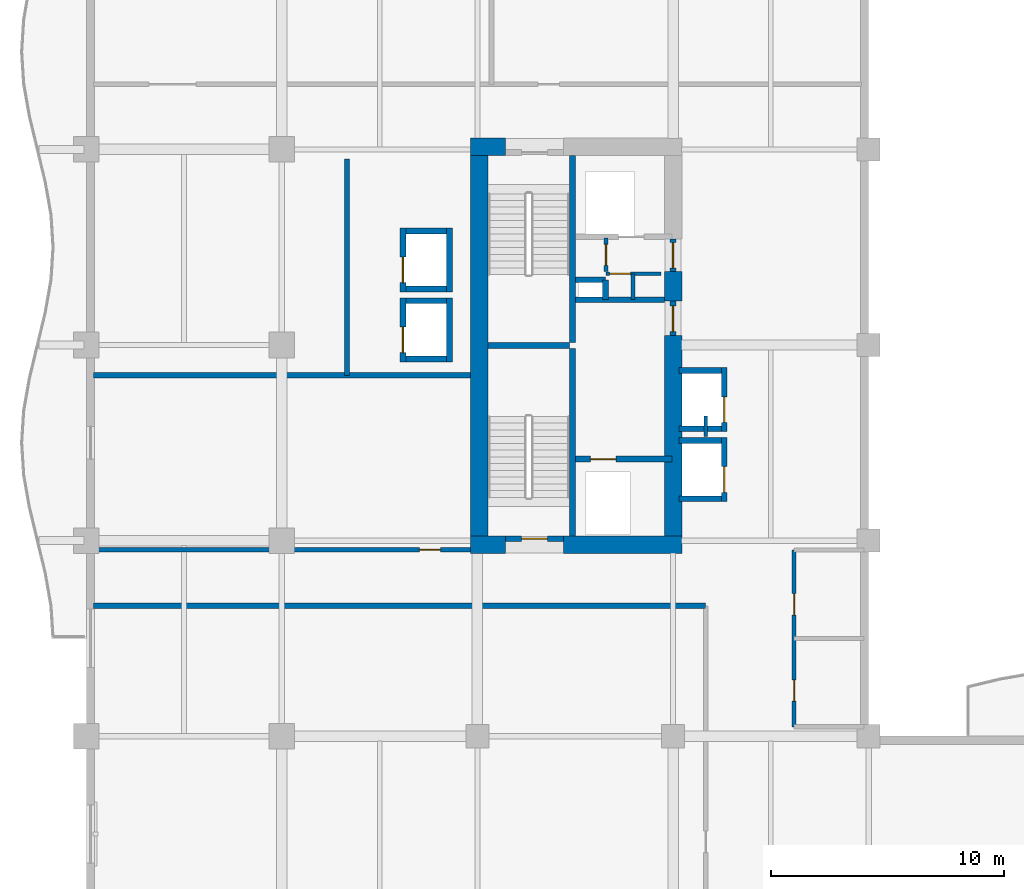
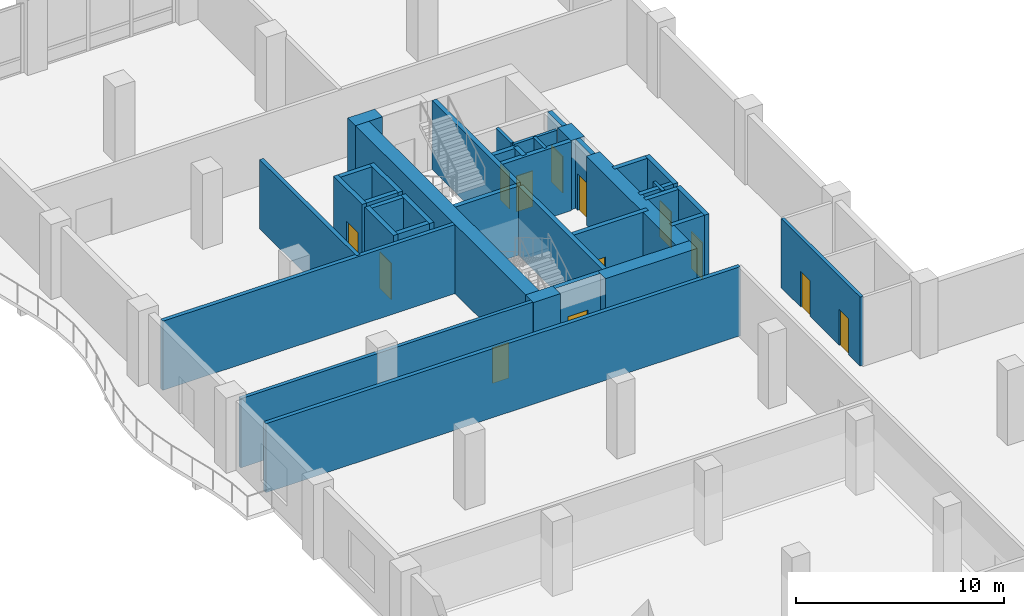
# One storey, part 16 of 25: 39 walls, 13 doors, 13 openings.
"""IFC4 building model written with IfcOpenShell, lengths in metres."""

import ifcopenshell
import ifcopenshell.guid

model = None  # the IFC model being written
_history = None  # IfcOwnerHistory: only IFC2X3 demands one
_inside = {}  # id of a spatial element -> (the spatial element, [elements in it])
_under = {}  # id of a project, library or spatial element -> (it, [spatial elements below it])
_declared = {}  # id of a project -> (the project, [libraries it declares])
_typed = {}  # id of a type object -> (the type object, [elements of that type])
_made_of = {}  # id of a material, layer set ... -> (it, [elements and type objects made of it])


def new_model(schema):
    """Start an empty IFC model of exactly this schema.

    Asked for "IFC4X3", IfcOpenShell would pick the latest addendum, in which some entities
    have other attributes; the version numbers below select the first issue.
    IFC2X3 requires an IfcOwnerHistory on every rooted entity: one is made here for all.
    """
    global model, _history
    if schema == "IFC4X3":
        model = ifcopenshell.file(schema_version=(4, 3, 0, 0))
    else:
        model = ifcopenshell.file(schema=schema)
    _inside.clear()
    _under.clear()
    _declared.clear()
    _typed.clear()
    _made_of.clear()
    _history = None
    if model.schema == "IFC2X3":
        org = make("IfcOrganization", Name="unknown")
        user = make(
            "IfcPersonAndOrganization",
            ThePerson=make("IfcPerson", FamilyName="unknown"),
            TheOrganization=org,
        )
        app = make(
            "IfcApplication",
            ApplicationDeveloper=org,
            Version="unknown",
            ApplicationFullName="unknown",
            ApplicationIdentifier="unknown",
        )
        _history = make(
            "IfcOwnerHistory",
            OwningUser=user,
            OwningApplication=app,
            ChangeAction="ADDED",
            CreationDate=0,
        )
    return model


def make(cls, **values):
    """One entity of the class cls with the attributes given. An attribute that is None is left unset."""
    return model.create_entity(
        cls, **{name: value for name, value in values.items() if value is not None}
    )


def rooted(cls, **values):
    """An entity with a GlobalId (a new one), such as an element, a storey or a relation."""
    return make(cls, GlobalId=ifcopenshell.guid.new(), OwnerHistory=_history, **values)


def si_unit(unit_type, name, prefix=None):
    """IfcSIUnit, for example si_unit("LENGTHUNIT", "METRE", prefix="MILLI")."""
    return make("IfcSIUnit", UnitType=unit_type, Prefix=prefix, Name=name)


def assignment(units):
    """IfcUnitAssignment: the units of a project."""
    return None if units is None else make("IfcUnitAssignment", Units=units)


def point(xyz):
    """IfcCartesianPoint."""
    return None if xyz is None else make("IfcCartesianPoint", Coordinates=xyz)


def direction(xyz):
    """IfcDirection."""
    return None if xyz is None else make("IfcDirection", DirectionRatios=xyz)


def frame(location, z_axis=None, x_axis=None):
    """IfcAxis2Placement3D, a coordinate frame: its origin and axes. An axis left out is left unset."""
    return make(
        "IfcAxis2Placement3D",
        Location=point(location),
        Axis=direction(z_axis),
        RefDirection=direction(x_axis),
    )


def frame_2d(location, x_axis=None):
    """IfcAxis2Placement2D, a coordinate frame in the plane: its origin and x axis."""
    return make(
        "IfcAxis2Placement2D", Location=point(location), RefDirection=direction(x_axis)
    )


def origin():
    """The frame at (0, 0, 0) with its axes left unset."""
    return frame((0.0, 0.0, 0.0))


def place(relative_to, where):
    """IfcLocalPlacement: puts the frame where relative to a parent placement (None: the world)."""
    return make(
        "IfcLocalPlacement", PlacementRelTo=relative_to, RelativePlacement=where
    )


def context(
    kind, dimensions, precision=None, world=None, true_north=None, identifier=None
):
    """IfcGeometricRepresentationContext, for example the 3D "Model" context."""
    return make(
        "IfcGeometricRepresentationContext",
        ContextIdentifier=identifier,
        ContextType=kind,
        CoordinateSpaceDimension=dimensions,
        Precision=precision,
        WorldCoordinateSystem=world,
        TrueNorth=true_north,
    )


def subcontext(parent, identifier, kind, view, scale=None):
    """IfcGeometricRepresentationSubContext, for example "Body" below "Model"."""
    return make(
        "IfcGeometricRepresentationSubContext",
        ContextIdentifier=identifier,
        ContextType=kind,
        ParentContext=parent,
        TargetScale=scale,
        TargetView=view,
    )


def project(units=None, contexts=None):
    """IfcProject with its units and contexts."""
    return rooted(
        "IfcProject",
        Name="project",
        RepresentationContexts=contexts,
        UnitsInContext=assignment(units),
    )


def spatial(cls, under=None, at=None, **own):
    """A site, building, storey or space (cls), placed at a placement, below another one or the project."""
    s = rooted(cls, ObjectPlacement=at, **own)
    if under is not None:
        _under.setdefault(under.id(), (under, []))[1].append(s)
    return s


def profile(cls, at=None, kind="AREA", **sizes):
    """A parametric profile (cls). Its sizes go by their IFC names, for example OverallWidth=200.0."""
    return make(cls, ProfileType=kind, Position=at, **sizes)


def rectangle(**sizes):
    """IfcRectangleProfileDef."""
    return profile("IfcRectangleProfileDef", **sizes)


def extrude(swept, where, along, depth):
    """IfcExtrudedAreaSolid: the profile swept, set in the frame where, extruded along a direction by depth."""
    return make(
        "IfcExtrudedAreaSolid",
        SweptArea=swept,
        Position=where,
        ExtrudedDirection=direction(along),
        Depth=depth,
    )


def shape(context_of_items, identifier, shape_type, items):
    """IfcShapeRepresentation: the items that make up one representation, for example the "Body"."""
    return make(
        "IfcShapeRepresentation",
        ContextOfItems=context_of_items,
        RepresentationIdentifier=identifier,
        RepresentationType=shape_type,
        Items=items,
    )


def material(Name=None, Category=None):
    """IfcMaterial."""
    return make("IfcMaterial", Name=Name, Category=Category)


def layer(
    of_material, thickness, ventilated=None, Name=None, Category=None, Priority=None
):
    """IfcMaterialLayer: one layer of a wall or slab, of a material (None: an air gap)."""
    return make(
        "IfcMaterialLayer",
        Material=of_material,
        LayerThickness=thickness,
        IsVentilated=ventilated,
        Name=Name,
        Category=Category,
        Priority=Priority,
    )


def layer_set(layers, Name=None):
    """IfcMaterialLayerSet."""
    return make("IfcMaterialLayerSet", MaterialLayers=layers, LayerSetName=Name)


def made_of(thing, what):
    """Note that an element or type object is made of a material, layer set ...; save() writes the relation."""
    if what is not None:
        _made_of.setdefault(what.id(), (what, []))[1].append(thing)
    return thing


def type_object(cls, material=None, **own):
    """A type object (cls), such as IfcWallType, which elements share."""
    return made_of(rooted(cls, **own), material)


def element(
    cls,
    number,
    at=None,
    inside=None,
    cuts=None,
    type_object=None,
    material=None,
    context=None,
    identifier="Body",
    shape_type=None,
    held_by="IfcProductDefinitionShape",
    body=None,
    shapes=None,
    **own,
):
    """One element of the class cls, such as IfcWall. Its Tag is "e" and its number.

    at: its placement. inside: the storey or other place that contains it. cuts: it is an
    opening in that element (IfcRelVoidsElement). A single representation is given by context,
    identifier, shape_type and body (its items); several are given by shapes. held_by: the class
    of the entity that holds the representations. save() writes the other relations.
    """
    e = rooted(cls, Tag="e%d" % number, ObjectPlacement=at, **own)
    if body is not None:
        shapes = [shape(context, identifier, shape_type, body)]
    if shapes is not None:
        e.Representation = make(held_by, Representations=shapes)
    if inside is not None:
        _inside.setdefault(inside.id(), (inside, []))[1].append(e)
    if cuts is not None:
        rooted(
            "IfcRelVoidsElement", RelatingBuildingElement=cuts, RelatedOpeningElement=e
        )
    if type_object is not None:
        _typed.setdefault(type_object.id(), (type_object, []))[1].append(e)
    return made_of(e, material)


def fill(opening, filler):
    """IfcRelFillsElement: the door or window that sits in an opening."""
    return rooted(
        "IfcRelFillsElement",
        RelatingOpeningElement=opening,
        RelatedBuildingElement=filler,
    )


def aggregate(whole, parts):
    """IfcRelAggregates: a whole, such as a stair, and the parts it consists of."""
    return rooted("IfcRelAggregates", RelatingObject=whole, RelatedObjects=parts)


def save(model, path):
    """Write the relations noted so far, then the file.

    IfcRelAggregates (storeys below a building ...), IfcRelContainedInSpatialStructure (elements
    in a storey), IfcRelDefinesByType, IfcRelAssociatesMaterial and IfcRelDeclares: one each for
    every whole, place, type object, material and project.
    """
    for whole, parts in _under.values():
        aggregate(whole, parts)
    for where, things in _inside.values():
        rooted(
            "IfcRelContainedInSpatialStructure",
            RelatedElements=things,
            RelatingStructure=where,
        )
    for kind, things in _typed.values():
        rooted("IfcRelDefinesByType", RelatedObjects=things, RelatingType=kind)
    for what, things in _made_of.values():
        rooted("IfcRelAssociatesMaterial", RelatedObjects=things, RelatingMaterial=what)
    for by, libraries in _declared.values():
        rooted("IfcRelDeclares", RelatingContext=by, RelatedDefinitions=libraries)
    model.write(path)


model = new_model("IFC4")

# Units and contexts
model_context = context("Model", 3, precision=1e-05, world=origin(), true_north=direction((0.0, 1.0)))
body_context = subcontext(model_context, "Body", "Model", "MODEL_VIEW")
ifc_project = project(units=[si_unit("LENGTHUNIT", "METRE"), si_unit("AREAUNIT", "SQUARE_METRE"), si_unit("VOLUMEUNIT", "CUBIC_METRE"), si_unit("PLANEANGLEUNIT", "RADIAN"), si_unit("MASSUNIT", "GRAM", prefix="KILO")], contexts=[model_context])

# Site, building, storey
site_placement = place(None, origin())
site = spatial("IfcSite", under=ifc_project, at=site_placement, CompositionType="ELEMENT")
building_placement = place(site_placement, origin())
building = spatial("IfcBuilding", under=site, at=building_placement, Name="Koriwani Terraces Tower", CompositionType="ELEMENT")
storey_placement = place(building_placement, frame((0.0, 0.0, 157.60009765625)))
storey = spatial("IfcBuildingStorey", under=building, at=storey_placement, Name="L38", CompositionType="ELEMENT", Elevation=157.60009765625)

# Walls
ifc_material_1 = material(Name="Concrete C60/75", Category="concrete")
ifc_layer_1 = layer(ifc_material_1, 0.75, Name="Concrete C60/75")
ifc_layer_set_1 = layer_set([ifc_layer_1], Name="Concrete C60/75")
wall_type_1 = type_object("IfcWallType", Name="WALL_CORE_RC_750", PredefinedType="SHEAR", material=ifc_layer_set_1)
wall_1_placement = place(storey_placement, frame((16.5, 41.824951171875, 0.0), z_axis=(0.0, 0.0, 1.0), x_axis=(1.0, 0.0, 0.0)))
element("IfcWall", 1, at=wall_1_placement, inside=storey, type_object=wall_type_1, Name="L38 West Split Core Shear Wall S1", PredefinedType="SHEAR", context=body_context, shape_type="SweptSolid", body=[
    extrude(rectangle(XDim=1.5, YDim=0.75, at=frame_2d((0.75, 0.0))), origin(), (0.0, 0.0, 1.0), 4.0498046875),
])
wall_2_placement = place(storey_placement, frame((20.5, 41.824951171875, 0.0), z_axis=(0.0, 0.0, 1.0), x_axis=(1.0, 0.0, 0.0)))
element("IfcWall", 2, at=wall_2_placement, inside=storey, type_object=wall_type_1, Name="L38 West Split Core Shear Wall S2", PredefinedType="SHEAR", context=body_context, shape_type="SweptSolid", body=[
    extrude(rectangle(XDim=5.074951171875, YDim=0.75, at=frame_2d((2.53759765625, 0.0))), origin(), (0.0, 0.0, 1.0), 4.0498046875),
])
wall_3_placement = place(storey_placement, frame((16.5, 58.925048828125, 0.0), z_axis=(0.0, 0.0, 1.0), x_axis=(1.0, 0.0, 0.0)))
element("IfcWall", 3, at=wall_3_placement, inside=storey, type_object=wall_type_1, Name="L38 West Split Core Shear Wall N1", PredefinedType="SHEAR", context=body_context, shape_type="SweptSolid", body=[
    extrude(rectangle(XDim=1.5, YDim=0.75, at=frame_2d((0.75, 0.0))), origin(), (0.0, 0.0, 1.0), 4.0498046875),
])
wall_4_placement = place(storey_placement, frame((16.875, 42.199951171875, 0.0), z_axis=(0.0, 0.0, 1.0), x_axis=(0.0, 1.0, 0.0)))
element("IfcWall", 4, at=wall_4_placement, inside=storey, type_object=wall_type_1, Name="L38 West Split Core Shear Wall W1", PredefinedType="SHEAR", context=body_context, shape_type="SweptSolid", body=[
    extrude(rectangle(XDim=16.35009765625, YDim=0.75, at=frame_2d((8.175048828125, 0.0))), origin(), (0.0, 0.0, 1.0), 4.0498046875),
])
wall_5_placement = place(storey_placement, frame((25.199951171875, 42.199951171875, 0.0), z_axis=(0.0, 0.0, 1.0), x_axis=(0.0, 1.0, 0.0)))
element("IfcWall", 5, at=wall_5_placement, inside=storey, type_object=wall_type_1, Name="L38 West Split Core Shear Wall E1", PredefinedType="SHEAR", context=body_context, shape_type="SweptSolid", body=[
    extrude(rectangle(XDim=8.60009765625, YDim=0.75, at=frame_2d((4.300048828125, 0.0))), origin(), (0.0, 0.0, 1.0), 4.0498046875),
])
wall_6_placement = place(storey_placement, frame((25.199951171875, 52.280029296875, 0.0), z_axis=(0.0, 0.0, 1.0), x_axis=(0.0, 1.0, 0.0)))
element("IfcWall", 6, at=wall_6_placement, inside=storey, type_object=wall_type_1, Name="L38 West Split Core Shear Wall E2", PredefinedType="SHEAR", context=body_context, shape_type="SweptSolid", body=[
    extrude(rectangle(XDim=1.27001953125, YDim=0.75, at=frame_2d((0.635009765625, 0.0))), origin(), (0.0, 0.0, 1.0), 4.0498046875),
])

# Wall, opening, door
ifc_material_2 = material(Name="Autoclaved Cellular Concrete Blockwork", Category="masonry")
ifc_layer_2 = layer(ifc_material_2, 0.199951171875, Name="Autoclaved Cellular Concrete Blockwork")
ifc_layer_set_2 = layer_set([ifc_layer_2], Name="Autoclaved Cellular Concrete Blockwork")
wall_type_2 = type_object("IfcWallType", Name="WALL_CORRIDOR_200", PredefinedType="PARTITIONING", material=ifc_layer_set_2)
wall_7_placement = place(storey_placement, frame((0.300048828125, 41.60009765625, 0.0), z_axis=(0.0, 0.0, 1.0), x_axis=(1.0, 0.0, 0.0)))
wall_7 = element("IfcWall", 7, at=wall_7_placement, inside=storey, type_object=wall_type_2, Name="L38 Interior Wall WSKY-RECW1-L38", PredefinedType="PARTITIONING", context=body_context, shape_type="SweptSolid", body=[
    extrude(rectangle(XDim=16.199951171875, YDim=0.199951171875, at=frame_2d((8.10009765625, 0.0))), origin(), (0.0, 0.0, 1.0), 4.0498046875),
])
opening_1_placement = place(wall_7_placement, frame((14.0, 0.0, 0.0)))
opening_1 = element("IfcOpeningElement", 8, at=opening_1_placement, cuts=wall_7, Name="Opening D-06", PredefinedType="OPENING", context=body_context, shape_type="SweptSolid", body=[
    extrude(rectangle(XDim=0.919921875, YDim=2.10009765625, at=frame_2d((0.4599609375, 1.050048828125))), frame((0.0, 0.10986328125, 0.0), z_axis=(0.0, -1.0, 0.0), x_axis=(1.0, 0.0, 0.0)), (0.0, 0.0, 1.0), 0.219970703125),
])
ifc_material_3 = material(Name="Architectural Oak Fire Door", Category="wood")
door_type_1 = type_object("IfcDoorType", Name="DOOR_ROOM_INT_920X2100", OperationType="NOTDEFINED", PredefinedType="DOOR", material=ifc_material_3)
door_1_placement = place(opening_1_placement, origin())
door_1 = element("IfcDoor", 9, at=door_1_placement, inside=storey, type_object=door_type_1, Name="L38 Private Summit Boardroom Door", OperationType="SINGLE_SWING_RIGHT", OverallHeight=2.10009765625, OverallWidth=0.919921875, PredefinedType="DOOR", context=body_context, shape_type="SweptSolid", body=[
    extrude(rectangle(XDim=0.919921875, YDim=2.10009765625, at=frame_2d((0.4599609375, 1.050048828125))), frame((0.0, 0.02490234375, 0.0), z_axis=(0.0, -1.0, 0.0), x_axis=(1.0, 0.0, 0.0)), (0.0, 0.0, 1.0), 0.050048828125),
])
fill(opening_1, door_1)

# Walls
ifc_layer_3 = layer(ifc_material_2, 0.219970703125, Name="Autoclaved Cellular Concrete Blockwork")
ifc_layer_set_3 = layer_set([ifc_layer_3], Name="Autoclaved Cellular Concrete Blockwork")
wall_type_3 = type_object("IfcWallType", Name="WALL_DEMISING_220", PredefinedType="PARTITIONING", material=ifc_layer_set_3)
wall_8_placement = place(storey_placement, frame((0.300048828125, 49.10009765625, 0.0), z_axis=(0.0, 0.0, 1.0), x_axis=(1.0, 0.0, 0.0)))
element("IfcWall", 10, at=wall_8_placement, inside=storey, type_object=wall_type_3, Name="L38 Interior Wall WSKY-RECW2-L38", PredefinedType="PARTITIONING", context=body_context, shape_type="SweptSolid", body=[
    extrude(rectangle(XDim=16.199951171875, YDim=0.219970703125, at=frame_2d((8.10009765625, 0.0))), origin(), (0.0, 0.0, 1.0), 4.0498046875),
])
wall_9_placement = place(storey_placement, frame((11.199951171875, 49.10009765625, 0.0), z_axis=(0.0, 0.0, 1.0), x_axis=(0.0, 1.0, 0.0)))
element("IfcWall", 11, at=wall_9_placement, inside=storey, type_object=wall_type_3, Name="L38 Interior Wall WSKY-RECW3-L38", PredefinedType="PARTITIONING", context=body_context, shape_type="SweptSolid", body=[
    extrude(rectangle(XDim=9.2998046875, YDim=0.219970703125, at=frame_2d((4.64990234375, 0.0))), origin(), (0.0, 0.0, 1.0), 4.0498046875),
])
wall_10_placement = place(storey_placement, frame((0.300048828125, 39.199951171875, 0.0), z_axis=(0.0, 0.0, 1.0), x_axis=(1.0, 0.0, 0.0)))
element("IfcWall", 12, at=wall_10_placement, inside=storey, type_object=wall_type_3, Name="L38 Interior Wall WSKY-WMN-L38", PredefinedType="PARTITIONING", context=body_context, shape_type="SweptSolid", body=[
    extrude(rectangle(XDim=26.300048828125, YDim=0.219970703125, at=frame_2d((13.14990234375, 0.0))), origin(), (0.0, 0.0, 1.0), 4.0498046875),
])

# Wall, openings, doors
ifc_material_4 = material(Name="Fire-Rated Acoustic Gypsum Partition", Category="masonry")
ifc_layer_4 = layer(ifc_material_4, 0.179931640625, Name="Fire-Rated Acoustic Gypsum Partition")
ifc_layer_set_4 = layer_set([ifc_layer_4], Name="Fire-Rated Acoustic Gypsum Partition")
wall_type_4 = type_object("IfcWallType", Name="WALL_PLUMBING_180", PredefinedType="PLUMBINGWALL", material=ifc_layer_set_4)
wall_11_placement = place(storey_placement, frame((30.39990234375, 34.0, 0.0), z_axis=(0.0, 0.0, 1.0), x_axis=(0.0, 1.0, 0.0)))
wall_11 = element("IfcWall", 13, at=wall_11_placement, inside=storey, type_object=wall_type_4, Name="L38 Interior Wall WSKY-WC-L38", PredefinedType="PLUMBINGWALL", context=body_context, shape_type="SweptSolid", body=[
    extrude(rectangle(XDim=7.60009765625, YDim=0.179931640625, at=frame_2d((3.800048828125, 0.0))), origin(), (0.0, 0.0, 1.0), 4.0498046875),
])
opening_2_placement = place(wall_11_placement, frame((1.10009765625, 0.0, 0.0)))
opening_2 = element("IfcOpeningElement", 14, at=opening_2_placement, cuts=wall_11, Name="Opening D-06", PredefinedType="OPENING", context=body_context, shape_type="SweptSolid", body=[
    extrude(rectangle(XDim=0.919921875, YDim=2.10009765625, at=frame_2d((0.4599609375, 1.050048828125))), frame((0.0, 0.10009765625, 0.0), z_axis=(0.0, -1.0, 0.0), x_axis=(1.0, 0.0, 0.0)), (0.0, 0.0, 1.0), 0.199951171875),
])
opening_3_placement = place(wall_11_placement, frame((4.800048828125, 0.0, 0.0)))
opening_3 = element("IfcOpeningElement", 15, at=opening_3_placement, cuts=wall_11, Name="Opening D-06", PredefinedType="OPENING", context=body_context, shape_type="SweptSolid", body=[
    extrude(rectangle(XDim=0.919921875, YDim=2.10009765625, at=frame_2d((0.4599609375, 1.050048828125))), frame((0.0, 0.10009765625, 0.0), z_axis=(0.0, -1.0, 0.0), x_axis=(1.0, 0.0, 0.0)), (0.0, 0.0, 1.0), 0.199951171875),
])
door_2_placement = place(opening_2_placement, origin())
door_2 = element("IfcDoor", 16, at=door_2_placement, inside=storey, type_object=door_type_1, Name="L38 Sky Lobby Restroom WC Door", OperationType="SINGLE_SWING_RIGHT", OverallHeight=2.10009765625, OverallWidth=0.919921875, PredefinedType="DOOR", context=body_context, shape_type="SweptSolid", body=[
    extrude(rectangle(XDim=0.919921875, YDim=2.10009765625, at=frame_2d((0.4599609375, 1.050048828125))), frame((0.0, 0.02490234375, 0.0), z_axis=(0.0, -1.0, 0.0), x_axis=(1.0, 0.0, 0.0)), (0.0, 0.0, 1.0), 0.050048828125),
])
fill(opening_2, door_2)
door_3_placement = place(opening_3_placement, origin())
door_3 = element("IfcDoor", 17, at=door_3_placement, inside=storey, type_object=door_type_1, Name="L38 Sky Lobby Accessible WC Door", OperationType="SINGLE_SWING_LEFT", OverallHeight=2.10009765625, OverallWidth=0.919921875, PredefinedType="DOOR", context=body_context, shape_type="SweptSolid", body=[
    extrude(rectangle(XDim=0.919921875, YDim=2.10009765625, at=frame_2d((0.4599609375, 1.050048828125))), frame((0.0, 0.02490234375, 0.0), z_axis=(0.0, -1.0, 0.0), x_axis=(1.0, 0.0, 0.0)), (0.0, 0.0, 1.0), 0.050048828125),
])
fill(opening_3, door_3)

# Walls
ifc_material_5 = material(Name="Concrete C40/50", Category="concrete")
ifc_layer_5 = layer(ifc_material_5, 0.25, Name="Concrete C40/50")
ifc_layer_set_5 = layer_set([ifc_layer_5], Name="Concrete C40/50")
wall_type_5 = type_object("IfcWallType", Name="WALL_SHAFT_RATED_250", PredefinedType="SOLIDWALL", material=ifc_layer_set_5)
for number, where, z_axis, x_axis, name in (
    (18, (20.875, 42.199951171875, 0.0), (0.0, 0.0, 1.0), (0.0, 1.0, 0.0), "L38 West Split Core Web Wall MID1"),
    (19, (20.875, 50.5, 0.0), (0.0, 0.0, 1.0), (0.0, 1.0, 0.0), "L38 West Split Core Web Wall MID2"),
):
    element("IfcWall", number, at=place(storey_placement, frame(where, z_axis=z_axis, x_axis=x_axis)), inside=storey, type_object=wall_type_5, Name=name, PredefinedType="SOLIDWALL", context=body_context, shape_type="SweptSolid", body=[
        extrude(rectangle(XDim=8.050048828125, YDim=0.25, at=frame_2d((4.02490234375, 0.0))), origin(), (0.0, 0.0, 1.0), 4.0498046875),
    ])
wall_12_placement = place(storey_placement, frame((17.25, 50.375, 0.0), z_axis=(0.0, 0.0, 1.0), x_axis=(1.0, 0.0, 0.0)))
element("IfcWall", 20, at=wall_12_placement, inside=storey, type_object=wall_type_5, Name="L38 West Split Core Stair Dividing Wall", PredefinedType="SOLIDWALL", context=body_context, shape_type="SweptSolid", body=[
    extrude(rectangle(XDim=3.5, YDim=0.25, at=frame_2d((1.75, 0.0))), origin(), (0.0, 0.0, 1.0), 4.0498046875),
])

# Wall, opening, door
wall_13_placement = place(storey_placement, frame((18.0, 42.074951171875, 0.0), z_axis=(0.0, 0.0, 1.0), x_axis=(1.0, 0.0, 0.0)))
wall_13 = element("IfcWall", 21, at=wall_13_placement, inside=storey, type_object=wall_type_5, Name="L38 Interior Wall WIN-CW-L38-STS", PredefinedType="SOLIDWALL", context=body_context, shape_type="SweptSolid", body=[
    extrude(rectangle(XDim=2.5, YDim=0.25, at=frame_2d((1.25, 0.0))), origin(), (0.0, 0.0, 1.0), 4.0498046875),
])
opening_4_placement = place(wall_13_placement, frame((0.699951171875, 0.0, 0.0)))
opening_4 = element("IfcOpeningElement", 22, at=opening_4_placement, cuts=wall_13, Name="Opening D-03", PredefinedType="OPENING", context=body_context, shape_type="SweptSolid", body=[
    extrude(rectangle(XDim=1.10009765625, YDim=2.14990234375, at=frame_2d((0.550048828125, 1.074951171875))), frame((0.0, 0.135009765625, 0.0), z_axis=(0.0, -1.0, 0.0), x_axis=(1.0, 0.0, 0.0)), (0.0, 0.0, 1.0), 0.27001953125),
])
ifc_material_6 = material(Name="Steel ASTM A572 Grade 50", Category="steel")
door_type_2 = type_object("IfcDoorType", Name="DOOR_STAIR_FIRE_1100X2150", OperationType="NOTDEFINED", PredefinedType="DOOR", material=ifc_material_6)
door_4_placement = place(opening_4_placement, origin())
door_4 = element("IfcDoor", 23, at=door_4_placement, inside=storey, type_object=door_type_2, Name="L38 Exit Stair ST-W1 Door", OperationType="SINGLE_SWING_RIGHT", OverallHeight=2.14990234375, OverallWidth=1.10009765625, PredefinedType="DOOR", context=body_context, shape_type="SweptSolid", body=[
    extrude(rectangle(XDim=1.10009765625, YDim=2.14990234375, at=frame_2d((0.550048828125, 1.074951171875))), frame((0.0, 0.02490234375, 0.0), z_axis=(0.0, -1.0, 0.0), x_axis=(1.0, 0.0, 0.0)), (0.0, 0.0, 1.0), 0.050048828125),
])
fill(opening_4, door_4)

wall_14_placement = place(storey_placement, frame((21.0, 45.5, 0.0), z_axis=(0.0, 0.0, 1.0), x_axis=(1.0, 0.0, 0.0)))
wall_14 = element("IfcWall", 24, at=wall_14_placement, inside=storey, type_object=wall_type_5, Name="L38 Interior Wall WIN-CW-L38-FE", PredefinedType="SOLIDWALL", context=body_context, shape_type="SweptSolid", body=[
    extrude(rectangle(XDim=4.14990234375, YDim=0.25, at=frame_2d((2.074951171875, 0.0))), origin(), (0.0, 0.0, 1.0), 4.0498046875),
])
opening_5_placement = place(wall_14_placement, frame((0.64990234375, 0.0, 0.0)))
opening_5 = element("IfcOpeningElement", 25, at=opening_5_placement, cuts=wall_14, Name="Opening LD-01", PredefinedType="OPENING", context=body_context, shape_type="SweptSolid", body=[
    extrude(rectangle(XDim=1.10009765625, YDim=2.14990234375, at=frame_2d((0.550048828125, 1.074951171875))), frame((0.0, 0.135009765625, 0.0), z_axis=(0.0, -1.0, 0.0), x_axis=(1.0, 0.0, 0.0)), (0.0, 0.0, 1.0), 0.27001953125),
])
door_type_3 = type_object("IfcDoorType", Name="DOOR_LIFT_LANDING_1100X2200", OperationType="NOTDEFINED", PredefinedType="DOOR", material=ifc_material_6)
door_5_placement = place(opening_5_placement, origin())
door_5 = element("IfcDoor", 26, at=door_5_placement, inside=storey, type_object=door_type_3, Name="L38 Firefighting Lift FE-01 Landing Door", OperationType="SLIDING_TO_LEFT", OverallHeight=2.14990234375, OverallWidth=1.10009765625, PredefinedType="DOOR", context=body_context, shape_type="SweptSolid", body=[
    extrude(rectangle(XDim=1.10009765625, YDim=2.14990234375, at=frame_2d((0.550048828125, 1.074951171875))), frame((0.0, 0.02490234375, 0.0), z_axis=(0.0, -1.0, 0.0), x_axis=(1.0, 0.0, 0.0)), (0.0, 0.0, 1.0), 0.050048828125),
])
fill(opening_5, door_5)

wall_15_placement = place(storey_placement, frame((25.199951171875, 50.800048828125, 0.0), z_axis=(0.0, 0.0, 1.0), x_axis=(0.0, 1.0, 0.0)))
wall_15 = element("IfcWall", 27, at=wall_15_placement, inside=storey, type_object=wall_type_5, Name="L38 Interior Wall WIN-CW-L38-EP", PredefinedType="SOLIDWALL", context=body_context, shape_type="SweptSolid", body=[
    extrude(rectangle(XDim=1.47998046875, YDim=0.25, at=frame_2d((0.739990234375, 0.0))), origin(), (0.0, 0.0, 1.0), 4.0498046875),
])
opening_6_placement = place(wall_15_placement, frame((0.179931640625, 0.0, 0.0)))
opening_6 = element("IfcOpeningElement", 28, at=opening_6_placement, cuts=wall_15, Name="Opening D-03", PredefinedType="OPENING", context=body_context, shape_type="SweptSolid", body=[
    extrude(rectangle(XDim=1.10009765625, YDim=2.14990234375, at=frame_2d((0.550048828125, 1.074951171875))), frame((0.0, 0.135009765625, 0.0), z_axis=(0.0, -1.0, 0.0), x_axis=(1.0, 0.0, 0.0)), (0.0, 0.0, 1.0), 0.27001953125),
])
door_6_placement = place(opening_6_placement, origin())
door_6 = element("IfcDoor", 29, at=door_6_placement, inside=storey, type_object=door_type_2, Name="L38 West Firefighting Lobby Door", OperationType="SINGLE_SWING_RIGHT", OverallHeight=2.14990234375, OverallWidth=1.10009765625, PredefinedType="DOOR", context=body_context, shape_type="SweptSolid", body=[
    extrude(rectangle(XDim=1.10009765625, YDim=2.14990234375, at=frame_2d((0.550048828125, 1.074951171875))), frame((0.0, 0.02490234375, 0.0), z_axis=(0.0, -1.0, 0.0), x_axis=(1.0, 0.0, 0.0)), (0.0, 0.0, 1.0), 0.050048828125),
])
fill(opening_6, door_6)

# Wall
wall_16_placement = place(storey_placement, frame((21.0, 52.340087890625, 0.0), z_axis=(0.0, 0.0, 1.0), x_axis=(1.0, 0.0, 0.0)))
element("IfcWall", 30, at=wall_16_placement, inside=storey, type_object=wall_type_5, Name="L38 Interior Wall WIN-CW-L38-FFN", PredefinedType="SOLIDWALL", context=body_context, shape_type="SweptSolid", body=[
    extrude(rectangle(XDim=3.824951171875, YDim=0.25, at=frame_2d((1.91259765625, 0.0))), origin(), (0.0, 0.0, 1.0), 4.0498046875),
])

# Wall, opening, door
wall_17_placement = place(storey_placement, frame((25.199951171875, 53.550048828125, 0.0), z_axis=(0.0, 0.0, 1.0), x_axis=(0.0, 1.0, 0.0)))
wall_17 = element("IfcWall", 31, at=wall_17_placement, inside=storey, type_object=wall_type_5, Name="L38 Interior Wall WIN-CW-L38-EP2", PredefinedType="SOLIDWALL", context=body_context, shape_type="SweptSolid", body=[
    extrude(rectangle(XDim=1.39990234375, YDim=0.25, at=frame_2d((0.699951171875, 0.0))), origin(), (0.0, 0.0, 1.0), 4.0498046875),
])
opening_7_placement = place(wall_17_placement, frame((0.14990234375, 0.0, 0.0)))
opening_7 = element("IfcOpeningElement", 32, at=opening_7_placement, cuts=wall_17, Name="Opening D-03", PredefinedType="OPENING", context=body_context, shape_type="SweptSolid", body=[
    extrude(rectangle(XDim=1.10009765625, YDim=2.14990234375, at=frame_2d((0.550048828125, 1.074951171875))), frame((0.0, 0.135009765625, 0.0), z_axis=(0.0, -1.0, 0.0), x_axis=(1.0, 0.0, 0.0)), (0.0, 0.0, 1.0), 0.27001953125),
])
door_7_placement = place(opening_7_placement, origin())
door_7 = element("IfcDoor", 33, at=door_7_placement, inside=storey, type_object=door_type_2, Name="L38 West Goods Lift Lobby Door", OperationType="SINGLE_SWING_LEFT", OverallHeight=2.14990234375, OverallWidth=1.10009765625, PredefinedType="DOOR", context=body_context, shape_type="SweptSolid", body=[
    extrude(rectangle(XDim=1.10009765625, YDim=2.14990234375, at=frame_2d((0.550048828125, 1.074951171875))), frame((0.0, 0.02490234375, 0.0), z_axis=(0.0, -1.0, 0.0), x_axis=(1.0, 0.0, 0.0)), (0.0, 0.0, 1.0), 0.050048828125),
])
fill(opening_7, door_7)

# Walls
wall_18_placement = place(storey_placement, frame((21.0, 53.199951171875, 0.0), z_axis=(0.0, 0.0, 1.0), x_axis=(1.0, 0.0, 0.0)))
element("IfcWall", 34, at=wall_18_placement, inside=storey, type_object=wall_type_5, Name="L38 Interior Wall WIN-CW-L38-RS1", PredefinedType="SOLIDWALL", context=body_context, shape_type="SweptSolid", body=[
    extrude(rectangle(XDim=1.300048828125, YDim=0.25, at=frame_2d((0.64990234375, 0.0))), origin(), (0.0, 0.0, 1.0), 4.0498046875),
])
wall_19_placement = place(storey_placement, frame((22.300048828125, 52.360107421875, 0.0), z_axis=(0.0, 0.0, 1.0), x_axis=(0.0, 1.0, 0.0)))
element("IfcWall", 35, at=wall_19_placement, inside=storey, type_object=wall_type_5, Name="L38 Interior Wall WIN-CW-L38-RS2", PredefinedType="SOLIDWALL", context=body_context, shape_type="SweptSolid", body=[
    extrude(rectangle(XDim=0.83984375, YDim=0.25, at=frame_2d((0.419921875, 0.0))), origin(), (0.0, 0.0, 1.0), 4.0498046875),
])

# Wall, opening, door
wall_20_placement = place(storey_placement, frame((13.60009765625, 49.675048828125, 0.0), z_axis=(0.0, 0.0, 1.0), x_axis=(0.0, 1.0, 0.0)))
wall_20 = element("IfcWall", 36, at=wall_20_placement, inside=storey, type_object=wall_type_5, Name="L38 Interior Wall WIN-LF-PE-M1-L38-F", PredefinedType="SOLIDWALL", context=body_context, shape_type="SweptSolid", body=[
    extrude(rectangle(XDim=2.75, YDim=0.25, at=frame_2d((1.375, 0.0))), origin(), (0.0, 0.0, 1.0), 4.0498046875),
])
opening_8_placement = place(wall_20_placement, frame((0.39990234375, 0.0, 0.0)))
opening_8 = element("IfcOpeningElement", 37, at=opening_8_placement, cuts=wall_20, Name="Opening LD-01", PredefinedType="OPENING", context=body_context, shape_type="SweptSolid", body=[
    extrude(rectangle(XDim=1.10009765625, YDim=2.14990234375, at=frame_2d((0.550048828125, 1.074951171875))), frame((0.0, 0.135009765625, 0.0), z_axis=(0.0, -1.0, 0.0), x_axis=(1.0, 0.0, 0.0)), (0.0, 0.0, 1.0), 0.27001953125),
])
door_8_placement = place(opening_8_placement, origin())
door_8 = element("IfcDoor", 38, at=door_8_placement, inside=storey, type_object=door_type_3, Name="L38 Passenger Lift PE-M1 Landing Door", OperationType="SLIDING_TO_LEFT", OverallHeight=2.14990234375, OverallWidth=1.10009765625, PredefinedType="DOOR", context=body_context, shape_type="SweptSolid", body=[
    extrude(rectangle(XDim=1.10009765625, YDim=2.14990234375, at=frame_2d((0.550048828125, 1.074951171875))), frame((0.0, 0.02490234375, 0.0), z_axis=(0.0, -1.0, 0.0), x_axis=(1.0, 0.0, 0.0)), (0.0, 0.0, 1.0), 0.050048828125),
])
fill(opening_8, door_8)

# Walls
wall_21_placement = place(storey_placement, frame((15.60009765625, 49.675048828125, 0.0), z_axis=(0.0, 0.0, 1.0), x_axis=(0.0, 1.0, 0.0)))
element("IfcWall", 39, at=wall_21_placement, inside=storey, type_object=wall_type_5, Name="L38 Interior Wall WIN-LF-PE-M1-L38-B", PredefinedType="SOLIDWALL", context=body_context, shape_type="SweptSolid", body=[
    extrude(rectangle(XDim=2.75, YDim=0.25, at=frame_2d((1.375, 0.0))), origin(), (0.0, 0.0, 1.0), 4.0498046875),
])
for number, where, z_axis, x_axis, name in (
    (40, (13.72509765625, 49.800048828125, 0.0), (0.0, 0.0, 1.0), (1.0, 0.0, 0.0), "L38 Interior Wall WIN-LF-PE-M1-L38-S"),
    (41, (13.72509765625, 52.300048828125, 0.0), (0.0, 0.0, 1.0), (1.0, 0.0, 0.0), "L38 Interior Wall WIN-LF-PE-M1-L38-N"),
):
    element("IfcWall", number, at=place(storey_placement, frame(where, z_axis=z_axis, x_axis=x_axis)), inside=storey, type_object=wall_type_5, Name=name, PredefinedType="SOLIDWALL", context=body_context, shape_type="SweptSolid", body=[
        extrude(rectangle(XDim=1.75, YDim=0.25, at=frame_2d((0.875, 0.0))), origin(), (0.0, 0.0, 1.0), 4.0498046875),
    ])

# Wall, opening, door
wall_22_placement = place(storey_placement, frame((13.60009765625, 52.675048828125, 0.0), z_axis=(0.0, 0.0, 1.0), x_axis=(0.0, 1.0, 0.0)))
wall_22 = element("IfcWall", 42, at=wall_22_placement, inside=storey, type_object=wall_type_5, Name="L38 Interior Wall WIN-LF-PE-M2-L38-F", PredefinedType="SOLIDWALL", context=body_context, shape_type="SweptSolid", body=[
    extrude(rectangle(XDim=2.75, YDim=0.25, at=frame_2d((1.375, 0.0))), origin(), (0.0, 0.0, 1.0), 4.0498046875),
])
opening_9_placement = place(wall_22_placement, frame((0.39990234375, 0.0, 0.0)))
opening_9 = element("IfcOpeningElement", 43, at=opening_9_placement, cuts=wall_22, Name="Opening LD-01", PredefinedType="OPENING", context=body_context, shape_type="SweptSolid", body=[
    extrude(rectangle(XDim=1.10009765625, YDim=2.14990234375, at=frame_2d((0.550048828125, 1.074951171875))), frame((0.0, 0.135009765625, 0.0), z_axis=(0.0, -1.0, 0.0), x_axis=(1.0, 0.0, 0.0)), (0.0, 0.0, 1.0), 0.27001953125),
])
door_9_placement = place(opening_9_placement, origin())
door_9 = element("IfcDoor", 44, at=door_9_placement, inside=storey, type_object=door_type_3, Name="L38 Passenger Lift PE-M2 Landing Door", OperationType="SLIDING_TO_LEFT", OverallHeight=2.14990234375, OverallWidth=1.10009765625, PredefinedType="DOOR", context=body_context, shape_type="SweptSolid", body=[
    extrude(rectangle(XDim=1.10009765625, YDim=2.14990234375, at=frame_2d((0.550048828125, 1.074951171875))), frame((0.0, 0.02490234375, 0.0), z_axis=(0.0, -1.0, 0.0), x_axis=(1.0, 0.0, 0.0)), (0.0, 0.0, 1.0), 0.050048828125),
])
fill(opening_9, door_9)

# Walls
wall_23_placement = place(storey_placement, frame((15.60009765625, 52.675048828125, 0.0), z_axis=(0.0, 0.0, 1.0), x_axis=(0.0, 1.0, 0.0)))
element("IfcWall", 45, at=wall_23_placement, inside=storey, type_object=wall_type_5, Name="L38 Interior Wall WIN-LF-PE-M2-L38-B", PredefinedType="SOLIDWALL", context=body_context, shape_type="SweptSolid", body=[
    extrude(rectangle(XDim=2.75, YDim=0.25, at=frame_2d((1.375, 0.0))), origin(), (0.0, 0.0, 1.0), 4.0498046875),
])
for number, where, z_axis, x_axis, name in (
    (46, (13.72509765625, 52.800048828125, 0.0), (0.0, 0.0, 1.0), (1.0, 0.0, 0.0), "L38 Interior Wall WIN-LF-PE-M2-L38-S"),
    (47, (13.72509765625, 55.300048828125, 0.0), (0.0, 0.0, 1.0), (1.0, 0.0, 0.0), "L38 Interior Wall WIN-LF-PE-M2-L38-N"),
):
    element("IfcWall", number, at=place(storey_placement, frame(where, z_axis=z_axis, x_axis=x_axis)), inside=storey, type_object=wall_type_5, Name=name, PredefinedType="SOLIDWALL", context=body_context, shape_type="SweptSolid", body=[
        extrude(rectangle(XDim=1.75, YDim=0.25, at=frame_2d((0.875, 0.0))), origin(), (0.0, 0.0, 1.0), 4.0498046875),
    ])

# Wall, opening, door
wall_24_placement = place(storey_placement, frame((27.39990234375, 43.675048828125, 0.0), z_axis=(0.0, 0.0, 1.0), x_axis=(0.0, 1.0, 0.0)))
wall_24 = element("IfcWall", 48, at=wall_24_placement, inside=storey, type_object=wall_type_5, Name="L38 Interior Wall WIN-LF-PE-H1-L38-F", PredefinedType="SOLIDWALL", context=body_context, shape_type="SweptSolid", body=[
    extrude(rectangle(XDim=2.75, YDim=0.25, at=frame_2d((1.375, 0.0))), origin(), (0.0, 0.0, 1.0), 4.0498046875),
])
opening_10_placement = place(wall_24_placement, frame((0.39990234375, 0.0, 0.0)))
opening_10 = element("IfcOpeningElement", 49, at=opening_10_placement, cuts=wall_24, Name="Opening LD-01", PredefinedType="OPENING", context=body_context, shape_type="SweptSolid", body=[
    extrude(rectangle(XDim=1.10009765625, YDim=2.14990234375, at=frame_2d((0.550048828125, 1.074951171875))), frame((0.0, 0.135009765625, 0.0), z_axis=(0.0, -1.0, 0.0), x_axis=(1.0, 0.0, 0.0)), (0.0, 0.0, 1.0), 0.27001953125),
])
door_10_placement = place(opening_10_placement, origin())
door_10 = element("IfcDoor", 50, at=door_10_placement, inside=storey, type_object=door_type_3, Name="L38 Passenger Lift PE-H1 Landing Door", OperationType="SLIDING_TO_LEFT", OverallHeight=2.14990234375, OverallWidth=1.10009765625, PredefinedType="DOOR", context=body_context, shape_type="SweptSolid", body=[
    extrude(rectangle(XDim=1.10009765625, YDim=2.14990234375, at=frame_2d((0.550048828125, 1.074951171875))), frame((0.0, 0.02490234375, 0.0), z_axis=(0.0, -1.0, 0.0), x_axis=(1.0, 0.0, 0.0)), (0.0, 0.0, 1.0), 0.050048828125),
])
fill(opening_10, door_10)

# Walls
for number, where, z_axis, x_axis, name in (
    (51, (25.449951171875, 43.800048828125, 0.0), (0.0, 0.0, 1.0), (1.0, 0.0, 0.0), "L38 Interior Wall WIN-LF-PE-H1-L38-S"),
    (52, (25.449951171875, 46.300048828125, 0.0), (0.0, 0.0, 1.0), (1.0, 0.0, 0.0), "L38 Interior Wall WIN-LF-PE-H1-L38-N"),
):
    element("IfcWall", number, at=place(storey_placement, frame(where, z_axis=z_axis, x_axis=x_axis)), inside=storey, type_object=wall_type_5, Name=name, PredefinedType="SOLIDWALL", context=body_context, shape_type="SweptSolid", body=[
        extrude(rectangle(XDim=1.824951171875, YDim=0.25, at=frame_2d((0.91259765625, 0.0))), origin(), (0.0, 0.0, 1.0), 4.0498046875),
    ])

# Wall, opening, door
wall_25_placement = place(storey_placement, frame((27.39990234375, 46.675048828125, 0.0), z_axis=(0.0, 0.0, 1.0), x_axis=(0.0, 1.0, 0.0)))
wall_25 = element("IfcWall", 53, at=wall_25_placement, inside=storey, type_object=wall_type_5, Name="L38 Interior Wall WIN-LF-PE-H2-L38-F", PredefinedType="SOLIDWALL", context=body_context, shape_type="SweptSolid", body=[
    extrude(rectangle(XDim=2.75, YDim=0.25, at=frame_2d((1.375, 0.0))), origin(), (0.0, 0.0, 1.0), 4.0498046875),
])
opening_11_placement = place(wall_25_placement, frame((0.39990234375, 0.0, 0.0)))
opening_11 = element("IfcOpeningElement", 54, at=opening_11_placement, cuts=wall_25, Name="Opening LD-01", PredefinedType="OPENING", context=body_context, shape_type="SweptSolid", body=[
    extrude(rectangle(XDim=1.10009765625, YDim=2.14990234375, at=frame_2d((0.550048828125, 1.074951171875))), frame((0.0, 0.135009765625, 0.0), z_axis=(0.0, -1.0, 0.0), x_axis=(1.0, 0.0, 0.0)), (0.0, 0.0, 1.0), 0.27001953125),
])
door_11_placement = place(opening_11_placement, origin())
door_11 = element("IfcDoor", 55, at=door_11_placement, inside=storey, type_object=door_type_3, Name="L38 Passenger Lift PE-H2 Landing Door", OperationType="SLIDING_TO_LEFT", OverallHeight=2.14990234375, OverallWidth=1.10009765625, PredefinedType="DOOR", context=body_context, shape_type="SweptSolid", body=[
    extrude(rectangle(XDim=1.10009765625, YDim=2.14990234375, at=frame_2d((0.550048828125, 1.074951171875))), frame((0.0, 0.02490234375, 0.0), z_axis=(0.0, -1.0, 0.0), x_axis=(1.0, 0.0, 0.0)), (0.0, 0.0, 1.0), 0.050048828125),
])
fill(opening_11, door_11)

# Walls
for number, where, z_axis, x_axis, name in (
    (56, (25.449951171875, 46.800048828125, 0.0), (0.0, 0.0, 1.0), (1.0, 0.0, 0.0), "L38 Interior Wall WIN-LF-PE-H2-L38-S"),
    (57, (25.449951171875, 49.300048828125, 0.0), (0.0, 0.0, 1.0), (1.0, 0.0, 0.0), "L38 Interior Wall WIN-LF-PE-H2-L38-N"),
):
    element("IfcWall", number, at=place(storey_placement, frame(where, z_axis=z_axis, x_axis=x_axis)), inside=storey, type_object=wall_type_5, Name=name, PredefinedType="SOLIDWALL", context=body_context, shape_type="SweptSolid", body=[
        extrude(rectangle(XDim=1.824951171875, YDim=0.25, at=frame_2d((0.91259765625, 0.0))), origin(), (0.0, 0.0, 1.0), 4.0498046875),
    ])

# Wall, opening, door
ifc_layer_6 = layer(ifc_material_4, 0.159912109375, Name="Fire-Rated Acoustic Gypsum Partition")
ifc_layer_set_6 = layer_set([ifc_layer_6], Name="Fire-Rated Acoustic Gypsum Partition")
wall_type_6 = type_object("IfcWallType", Name="WALL_SUITE_160", PredefinedType="PARTITIONING", material=ifc_layer_set_6)
wall_26_placement = place(storey_placement, frame((22.320068359375, 53.56005859375, 0.0), z_axis=(0.0, 0.0, 1.0), x_axis=(0.0, 1.0, 0.0)))
wall_26 = element("IfcWall", 58, at=wall_26_placement, inside=storey, type_object=wall_type_6, Name="L38 Interior Wall WIN-CW-L38-SV2A", PredefinedType="PARTITIONING", context=body_context, shape_type="SweptSolid", body=[
    extrude(rectangle(XDim=1.43994140625, YDim=0.159912109375, at=frame_2d((0.719970703125, 0.0))), origin(), (0.0, 0.0, 1.0), 4.0498046875),
])
opening_12_placement = place(wall_26_placement, frame((0.260009765625, 0.0, 0.0)))
opening_12 = element("IfcOpeningElement", 59, at=opening_12_placement, cuts=wall_26, Name="Opening D-07", PredefinedType="OPENING", context=body_context, shape_type="SweptSolid", body=[
    extrude(rectangle(XDim=0.89990234375, YDim=2.10009765625, at=frame_2d((0.449951171875, 1.050048828125))), frame((0.0, 0.08984375, 0.0), z_axis=(0.0, -1.0, 0.0), x_axis=(1.0, 0.0, 0.0)), (0.0, 0.0, 1.0), 0.179931640625),
])
door_type_4 = type_object("IfcDoorType", Name="DOOR_BATH_INT_900X2100", OperationType="NOTDEFINED", PredefinedType="DOOR", material=ifc_material_3)
door_12_placement = place(opening_12_placement, origin())
door_12 = element("IfcDoor", 60, at=door_12_placement, inside=storey, type_object=door_type_4, Name="L38 West Meter Room Door", OperationType="SINGLE_SWING_RIGHT", OverallHeight=2.10009765625, OverallWidth=0.89990234375, PredefinedType="DOOR", context=body_context, shape_type="SweptSolid", body=[
    extrude(rectangle(XDim=0.89990234375, YDim=2.10009765625, at=frame_2d((0.449951171875, 1.050048828125))), frame((0.0, 0.02490234375, 0.0), z_axis=(0.0, -1.0, 0.0), x_axis=(1.0, 0.0, 0.0)), (0.0, 0.0, 1.0), 0.050048828125),
])
fill(opening_12, door_12)

wall_27_placement = place(storey_placement, frame((22.320068359375, 53.4599609375, 0.0), z_axis=(0.0, 0.0, 1.0), x_axis=(1.0, 0.0, 0.0)))
wall_27 = element("IfcWall", 61, at=wall_27_placement, inside=storey, type_object=wall_type_6, Name="L38 Interior Wall WIN-CW-L38-SV2H", PredefinedType="PARTITIONING", context=body_context, shape_type="SweptSolid", body=[
    extrude(rectangle(XDim=2.35986328125, YDim=0.159912109375, at=frame_2d((1.179931640625, 0.0))), origin(), (0.0, 0.0, 1.0), 4.0498046875),
])
opening_13_placement = place(wall_27_placement, frame((0.159912109375, 0.0, 0.0)))
opening_13 = element("IfcOpeningElement", 62, at=opening_13_placement, cuts=wall_27, Name="Opening D-07", PredefinedType="OPENING", context=body_context, shape_type="SweptSolid", body=[
    extrude(rectangle(XDim=0.89990234375, YDim=2.10009765625, at=frame_2d((0.449951171875, 1.050048828125))), frame((0.0, 0.08984375, 0.0), z_axis=(0.0, -1.0, 0.0), x_axis=(1.0, 0.0, 0.0)), (0.0, 0.0, 1.0), 0.179931640625),
])
door_13_placement = place(opening_13_placement, origin())
door_13 = element("IfcDoor", 63, at=door_13_placement, inside=storey, type_object=door_type_4, Name="L38 West Valve Room Door", OperationType="SINGLE_SWING_LEFT", OverallHeight=2.10009765625, OverallWidth=0.89990234375, PredefinedType="DOOR", context=body_context, shape_type="SweptSolid", body=[
    extrude(rectangle(XDim=0.89990234375, YDim=2.10009765625, at=frame_2d((0.449951171875, 1.050048828125))), frame((0.0, 0.02490234375, 0.0), z_axis=(0.0, -1.0, 0.0), x_axis=(1.0, 0.0, 0.0)), (0.0, 0.0, 1.0), 0.050048828125),
])
fill(opening_13, door_13)

# Walls
wall_28_placement = place(storey_placement, frame((23.47998046875, 52.360107421875, 0.0), z_axis=(0.0, 0.0, 1.0), x_axis=(0.0, 1.0, 0.0)))
element("IfcWall", 64, at=wall_28_placement, inside=storey, type_object=wall_type_6, Name="L38 Interior Wall WIN-CW-L38-SV2V", PredefinedType="PARTITIONING", context=body_context, shape_type="SweptSolid", body=[
    extrude(rectangle(XDim=1.099853515625, YDim=0.159912109375, at=frame_2d((0.5498046875, 0.0))), origin(), (0.0, 0.0, 1.0), 4.0498046875),
])
wall_29_placement = place(storey_placement, frame((26.60009765625, 46.4599609375, 0.0), z_axis=(0.0, 0.0, 1.0), x_axis=(0.0, 1.0, 0.0)))
element("IfcWall", 65, at=wall_29_placement, inside=storey, type_object=wall_type_6, Name="L38 Interior Wall WIN-LF-PEH12-MID-L38", PredefinedType="PARTITIONING", context=body_context, shape_type="SweptSolid", body=[
    extrude(rectangle(XDim=0.880126953125, YDim=0.159912109375, at=frame_2d((0.43994140625, 0.0))), origin(), (0.0, 0.0, 1.0), 4.0498046875),
])

save(model, "model.ifc")
